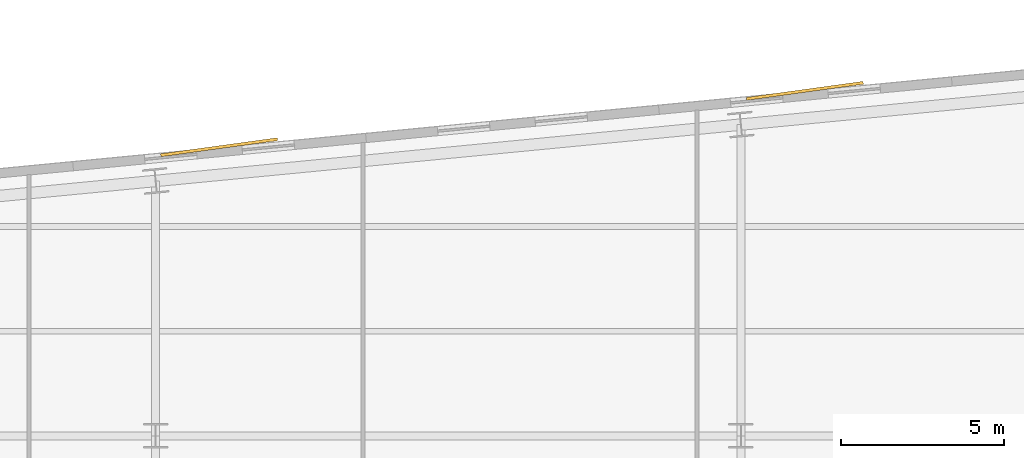
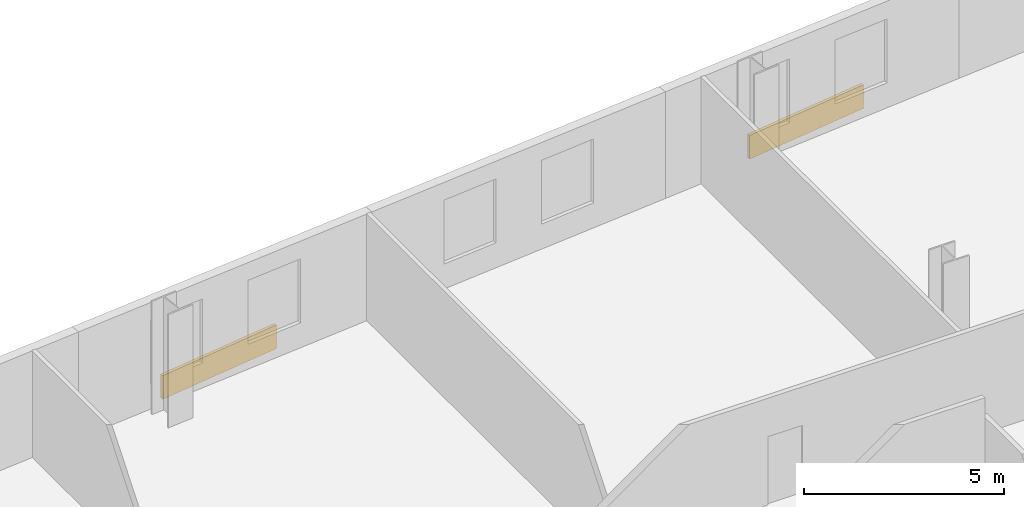
# One storey, part 11 of 11: 2 coverings.
"""IFC4 building model written with IfcOpenShell, lengths in metres."""

from ifc_helpers import new_model, si_unit, direction, frame, origin, origin_2d, place, context, subcontext, project, spatial, rectangle, extrude, material, layer, layer_set, type_object, element, save


model = new_model("IFC4")

# Units and contexts
model_context = context("Model", 3, precision=1e-05, world=origin(), true_north=direction((0.0, 1.0)))
body_context = subcontext(model_context, "Body", "Model", "MODEL_VIEW")
ifc_project = project(units=[si_unit("LENGTHUNIT", "METRE"), si_unit("AREAUNIT", "SQUARE_METRE"), si_unit("VOLUMEUNIT", "CUBIC_METRE"), si_unit("PLANEANGLEUNIT", "RADIAN"), si_unit("MASSUNIT", "GRAM", prefix="KILO")], contexts=[model_context])

# Site, building, storey
site_placement = place(None, origin())
site = spatial("IfcSite", under=ifc_project, at=site_placement, CompositionType="ELEMENT")
building_placement = place(site_placement, origin())
building = spatial("IfcBuilding", under=site, at=building_placement, Name="Velakula Bourse", CompositionType="ELEMENT")
storey_placement = place(building_placement, frame((0.0, 0.0, 101.800048828125)))
storey = spatial("IfcBuildingStorey", under=building, at=storey_placement, Name="L27", CompositionType="ELEMENT", Elevation=101.800048828125)

# Coverings
ifc_material = material(Name="Buff kilned clay facing brick masonry", Category="masonry")
ifc_layer = layer(ifc_material, 0.074951171875, Name="Buff kilned clay facing brick masonry", Category="masonry")
ifc_layer_set = layer_set([ifc_layer], Name="Buff kilned clay facing brick masonry")
covering_type = type_object("IfcCoveringType", Name="COV-BRK-SPN-75", PredefinedType="CLADDING", material=ifc_layer_set)
for number, where, z_axis, x_axis, name in (
    (1, (-7.0087890625, 23.428955078125, 0.0), (0.0, 0.0, 1.0), (0.990629029058, 0.136580111242, 0.0), "L27 Folded Brick Facade Cladding Panel N-B2"),
    (2, (10.908447265625, 25.154052734375, 0.0), (0.0, 0.0, 1.0), (0.990629029058, 0.136580111242, 0.0), "L27 Folded Brick Facade Cladding Panel N-B4"),
):
    element("IfcCovering", number, at=place(storey_placement, frame(where, z_axis=z_axis, x_axis=x_axis)), inside=storey, type_object=covering_type, Name=name, PredefinedType="CLADDING", context=body_context, shape_type="SweptSolid", body=[
        extrude(rectangle(XDim=3.60009765625, YDim=0.090087890625, at=origin_2d()), origin(), (0.0, 0.0, 1.0), 0.719970703125),
    ])

save(model, "model.ifc")
